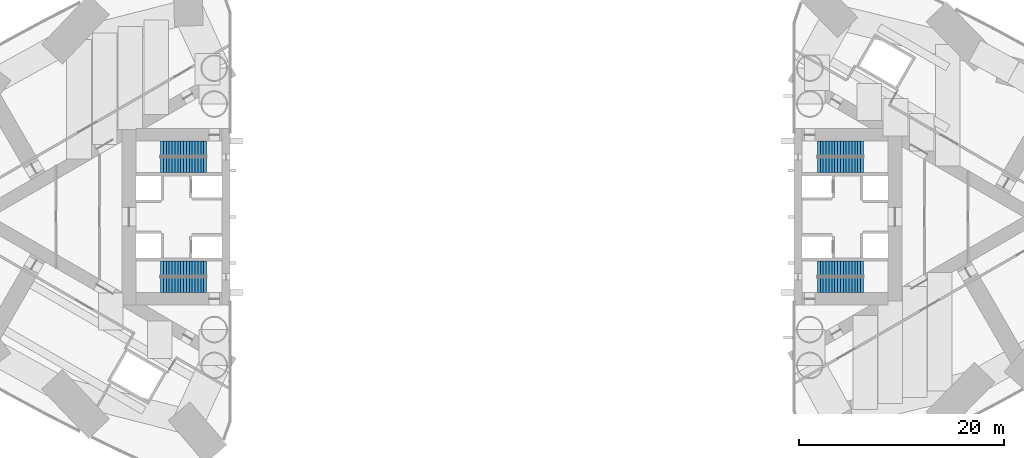
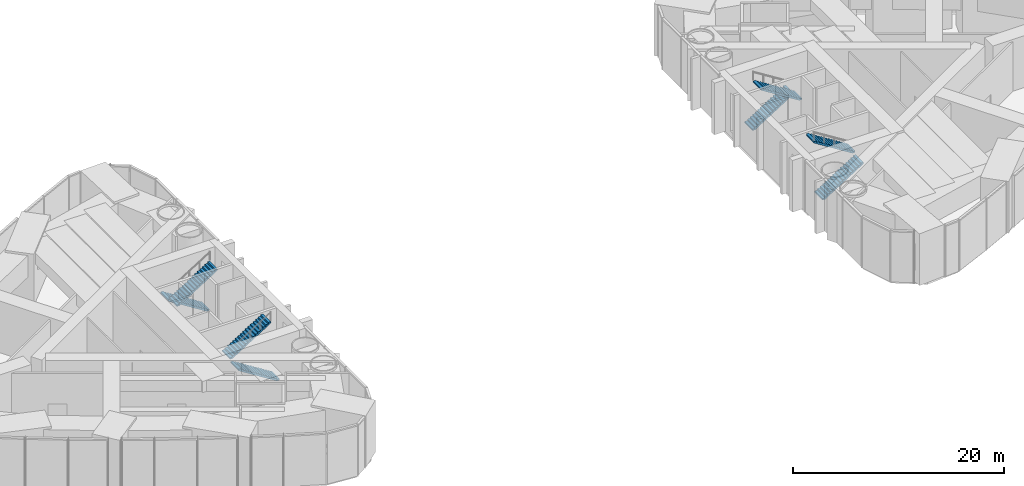
# One storey, part 15 of 16: 8 stair flights, 4 elements without a shape of their own.
"""IFC4 building model written with IfcOpenShell, lengths in metres."""

from ifc_helpers import new_model, si_unit, direction, frame, origin, place, context, subcontext, project, spatial, polyline, outline, extrude, material, type_object, element, aggregate, save


model = new_model("IFC4")

# Units and contexts
model_context = context("Model", 3, precision=1e-05, world=origin(), true_north=direction((0.0, 1.0)))
body_context = subcontext(model_context, "Body", "Model", "MODEL_VIEW")
ifc_project = project(units=[si_unit("LENGTHUNIT", "METRE"), si_unit("AREAUNIT", "SQUARE_METRE"), si_unit("VOLUMEUNIT", "CUBIC_METRE"), si_unit("PLANEANGLEUNIT", "RADIAN"), si_unit("MASSUNIT", "GRAM", prefix="KILO")], contexts=[model_context])

# Site, building, storey
site_placement = place(None, origin())
site = spatial("IfcSite", under=ifc_project, at=site_placement, CompositionType="ELEMENT")
building_placement = place(site_placement, origin())
building = spatial("IfcBuilding", under=site, at=building_placement, Name="Lancet Gate Hotel", CompositionType="ELEMENT")
storey_placement = place(building_placement, frame((0.0, 0.0, 146.699951171875)))
storey = spatial("IfcBuildingStorey", under=building, at=storey_placement, Name="L39", CompositionType="ELEMENT", Elevation=146.699951171875)

# Stair, stair flights
ifc_material_1 = material(Name="Exit stair 34 risers 1500")
stair_type = type_object("IfcStairType", Name="Exit stair 34 risers 1500", PredefinedType="HALF_TURN_STAIR", material=ifc_material_1)
stair_1_placement = place(storey_placement, origin())
stair_1 = element("IfcStair", 1, at=stair_1_placement, inside=storey, type_object=stair_type, Name="T1 stair 1 L39", PredefinedType="HALF_TURN_STAIR")
ifc_material_2 = material(Name="Stair flight 17 risers 176 rise 1500")
stair_flight_type = type_object("IfcStairFlightType", Name="Stair flight 17 risers 176 rise 1500", PredefinedType="STRAIGHT", material=ifc_material_2)
stair_flight_1_placement = place(storey_placement, frame((-29.800048828125, 6.64990234375, 0.0), z_axis=(0.0, 0.0, 1.0), x_axis=(-1.0, 0.0, 0.0)))
stair_flight_1 = element("IfcStairFlight", 2, at=stair_flight_1_placement, type_object=stair_flight_type, Name="ST1 flight 1", NumberOfRisers=17, NumberOfTreads=16, PredefinedType="STRAIGHT", RiserHeight=0.176470588, TreadLength=0.28, context=body_context, shape_type="SweptSolid", body=[
    extrude(outline(polyline([(0.0, 0.0), (0.0, 0.176513671875), (0.280029296875, 0.176513671875), (0.280029296875, 0.35302734375), (0.56005859375, 0.35302734375), (0.56005859375, 0.529296875), (0.840087890625, 0.529296875), (0.840087890625, 0.705810546875), (1.1201171875, 0.705810546875), (1.1201171875, 0.88232421875), (1.39990234375, 0.88232421875), (1.39990234375, 1.058837890625), (1.679931640625, 1.058837890625), (1.679931640625, 1.2353515625), (1.9599609375, 1.2353515625), (1.9599609375, 1.411865234375), (2.239990234375, 1.411865234375), (2.239990234375, 1.588134765625), (2.52001953125, 1.588134765625), (2.52001953125, 1.7646484375), (2.800048828125, 1.7646484375), (2.800048828125, 1.941162109375), (3.080078125, 1.941162109375), (3.080078125, 2.11767578125), (3.360107421875, 2.11767578125), (3.360107421875, 2.294189453125), (3.639892578125, 2.294189453125), (3.639892578125, 2.470703125), (3.919921875, 2.470703125), (3.919921875, 2.64697265625), (4.199951171875, 2.64697265625), (4.199951171875, 2.823486328125), (4.47998046875, 2.823486328125), (4.47998046875, 3.0), (4.47998046875, 2.646240234375), (0.28125, 0.0), (0.0, 0.0)])), frame((0.0, 0.75, 0.0), z_axis=(0.0, -1.0, 0.0), x_axis=(1.0, 0.0, 0.0)), (0.0, 0.0, 1.0), 1.5),
])
stair_flight_2_placement = place(storey_placement, frame((-34.280029296875, 5.050048828125, 3.0), z_axis=(0.0, 0.0, 1.0), x_axis=(1.0, 0.0, 0.0)))
stair_flight_2 = element("IfcStairFlight", 3, at=stair_flight_2_placement, type_object=stair_flight_type, Name="ST1 flight 2", NumberOfRisers=17, NumberOfTreads=16, PredefinedType="STRAIGHT", RiserHeight=0.176470588, TreadLength=0.28, context=body_context, shape_type="SweptSolid", body=[
    extrude(outline(polyline([(0.0, 0.0), (0.0, 0.176513671875), (0.280029296875, 0.176513671875), (0.280029296875, 0.35302734375), (0.56005859375, 0.35302734375), (0.56005859375, 0.529296875), (0.840087890625, 0.529296875), (0.840087890625, 0.705810546875), (1.1201171875, 0.705810546875), (1.1201171875, 0.88232421875), (1.39990234375, 0.88232421875), (1.39990234375, 1.058837890625), (1.679931640625, 1.058837890625), (1.679931640625, 1.2353515625), (1.9599609375, 1.2353515625), (1.9599609375, 1.411865234375), (2.239990234375, 1.411865234375), (2.239990234375, 1.588134765625), (2.52001953125, 1.588134765625), (2.52001953125, 1.7646484375), (2.800048828125, 1.7646484375), (2.800048828125, 1.941162109375), (3.080078125, 1.941162109375), (3.080078125, 2.11767578125), (3.360107421875, 2.11767578125), (3.360107421875, 2.294189453125), (3.639892578125, 2.294189453125), (3.639892578125, 2.470703125), (3.919921875, 2.470703125), (3.919921875, 2.64697265625), (4.199951171875, 2.64697265625), (4.199951171875, 2.823486328125), (4.47998046875, 2.823486328125), (4.47998046875, 3.0), (4.47998046875, 2.646240234375), (0.28125, 0.0), (0.0, 0.0)])), frame((0.0, 0.75, 0.0), z_axis=(0.0, -1.0, 0.0), x_axis=(1.0, 0.0, 0.0)), (0.0, 0.0, 1.0), 1.5),
])
aggregate(stair_1, [stair_flight_1, stair_flight_2])

stair_2_placement = place(storey_placement, origin())
stair_2 = element("IfcStair", 4, at=stair_2_placement, inside=storey, type_object=stair_type, Name="T1 stair 2 L39", PredefinedType="HALF_TURN_STAIR")
stair_flight_3_placement = place(storey_placement, frame((-29.800048828125, -6.64990234375, 0.0), z_axis=(0.0, 0.0, 1.0), x_axis=(-1.0, 0.0, 0.0)))
stair_flight_3 = element("IfcStairFlight", 5, at=stair_flight_3_placement, type_object=stair_flight_type, Name="ST2 flight 1", NumberOfRisers=17, NumberOfTreads=16, PredefinedType="STRAIGHT", RiserHeight=0.176470588, TreadLength=0.28, context=body_context, shape_type="SweptSolid", body=[
    extrude(outline(polyline([(0.0, 0.0), (0.0, 0.176513671875), (0.280029296875, 0.176513671875), (0.280029296875, 0.35302734375), (0.56005859375, 0.35302734375), (0.56005859375, 0.529296875), (0.840087890625, 0.529296875), (0.840087890625, 0.705810546875), (1.1201171875, 0.705810546875), (1.1201171875, 0.88232421875), (1.39990234375, 0.88232421875), (1.39990234375, 1.058837890625), (1.679931640625, 1.058837890625), (1.679931640625, 1.2353515625), (1.9599609375, 1.2353515625), (1.9599609375, 1.411865234375), (2.239990234375, 1.411865234375), (2.239990234375, 1.588134765625), (2.52001953125, 1.588134765625), (2.52001953125, 1.7646484375), (2.800048828125, 1.7646484375), (2.800048828125, 1.941162109375), (3.080078125, 1.941162109375), (3.080078125, 2.11767578125), (3.360107421875, 2.11767578125), (3.360107421875, 2.294189453125), (3.639892578125, 2.294189453125), (3.639892578125, 2.470703125), (3.919921875, 2.470703125), (3.919921875, 2.64697265625), (4.199951171875, 2.64697265625), (4.199951171875, 2.823486328125), (4.47998046875, 2.823486328125), (4.47998046875, 3.0), (4.47998046875, 2.646240234375), (0.28125, 0.0), (0.0, 0.0)])), frame((0.0, 0.75, 0.0), z_axis=(0.0, -1.0, 0.0), x_axis=(1.0, 0.0, 0.0)), (0.0, 0.0, 1.0), 1.5),
])
stair_flight_4_placement = place(storey_placement, frame((-34.280029296875, -5.050048828125, 3.0), z_axis=(0.0, 0.0, 1.0), x_axis=(1.0, 0.0, 0.0)))
stair_flight_4 = element("IfcStairFlight", 6, at=stair_flight_4_placement, type_object=stair_flight_type, Name="ST2 flight 2", NumberOfRisers=17, NumberOfTreads=16, PredefinedType="STRAIGHT", RiserHeight=0.176470588, TreadLength=0.28, context=body_context, shape_type="SweptSolid", body=[
    extrude(outline(polyline([(0.0, 0.0), (0.0, 0.176513671875), (0.280029296875, 0.176513671875), (0.280029296875, 0.35302734375), (0.56005859375, 0.35302734375), (0.56005859375, 0.529296875), (0.840087890625, 0.529296875), (0.840087890625, 0.705810546875), (1.1201171875, 0.705810546875), (1.1201171875, 0.88232421875), (1.39990234375, 0.88232421875), (1.39990234375, 1.058837890625), (1.679931640625, 1.058837890625), (1.679931640625, 1.2353515625), (1.9599609375, 1.2353515625), (1.9599609375, 1.411865234375), (2.239990234375, 1.411865234375), (2.239990234375, 1.588134765625), (2.52001953125, 1.588134765625), (2.52001953125, 1.7646484375), (2.800048828125, 1.7646484375), (2.800048828125, 1.941162109375), (3.080078125, 1.941162109375), (3.080078125, 2.11767578125), (3.360107421875, 2.11767578125), (3.360107421875, 2.294189453125), (3.639892578125, 2.294189453125), (3.639892578125, 2.470703125), (3.919921875, 2.470703125), (3.919921875, 2.64697265625), (4.199951171875, 2.64697265625), (4.199951171875, 2.823486328125), (4.47998046875, 2.823486328125), (4.47998046875, 3.0), (4.47998046875, 2.646240234375), (0.28125, 0.0), (0.0, 0.0)])), frame((0.0, 0.75, 0.0), z_axis=(0.0, -1.0, 0.0), x_axis=(1.0, 0.0, 0.0)), (0.0, 0.0, 1.0), 1.5),
])
aggregate(stair_2, [stair_flight_3, stair_flight_4])

stair_3_placement = place(storey_placement, origin())
stair_3 = element("IfcStair", 7, at=stair_3_placement, inside=storey, type_object=stair_type, Name="T2 stair 1 L39", PredefinedType="HALF_TURN_STAIR")
stair_flight_5_placement = place(storey_placement, frame((29.800048828125, -6.64990234375, 0.0), z_axis=(0.0, 0.0, 1.0), x_axis=(1.0, 0.0, 0.0)))
stair_flight_5 = element("IfcStairFlight", 8, at=stair_flight_5_placement, type_object=stair_flight_type, Name="ST3 flight 1", NumberOfRisers=17, NumberOfTreads=16, PredefinedType="STRAIGHT", RiserHeight=0.176470588, TreadLength=0.28, context=body_context, shape_type="SweptSolid", body=[
    extrude(outline(polyline([(0.0, 0.0), (0.0, 0.176513671875), (0.280029296875, 0.176513671875), (0.280029296875, 0.35302734375), (0.56005859375, 0.35302734375), (0.56005859375, 0.529296875), (0.840087890625, 0.529296875), (0.840087890625, 0.705810546875), (1.1201171875, 0.705810546875), (1.1201171875, 0.88232421875), (1.39990234375, 0.88232421875), (1.39990234375, 1.058837890625), (1.679931640625, 1.058837890625), (1.679931640625, 1.2353515625), (1.9599609375, 1.2353515625), (1.9599609375, 1.411865234375), (2.239990234375, 1.411865234375), (2.239990234375, 1.588134765625), (2.52001953125, 1.588134765625), (2.52001953125, 1.7646484375), (2.800048828125, 1.7646484375), (2.800048828125, 1.941162109375), (3.080078125, 1.941162109375), (3.080078125, 2.11767578125), (3.360107421875, 2.11767578125), (3.360107421875, 2.294189453125), (3.639892578125, 2.294189453125), (3.639892578125, 2.470703125), (3.919921875, 2.470703125), (3.919921875, 2.64697265625), (4.199951171875, 2.64697265625), (4.199951171875, 2.823486328125), (4.47998046875, 2.823486328125), (4.47998046875, 3.0), (4.47998046875, 2.646240234375), (0.28125, 0.0), (0.0, 0.0)])), frame((0.0, 0.75, 0.0), z_axis=(0.0, -1.0, 0.0), x_axis=(1.0, 0.0, 0.0)), (0.0, 0.0, 1.0), 1.5),
])
stair_flight_6_placement = place(storey_placement, frame((34.280029296875, -5.050048828125, 3.0), z_axis=(0.0, 0.0, 1.0), x_axis=(-1.0, 0.0, 0.0)))
stair_flight_6 = element("IfcStairFlight", 9, at=stair_flight_6_placement, type_object=stair_flight_type, Name="ST3 flight 2", NumberOfRisers=17, NumberOfTreads=16, PredefinedType="STRAIGHT", RiserHeight=0.176470588, TreadLength=0.28, context=body_context, shape_type="SweptSolid", body=[
    extrude(outline(polyline([(0.0, 0.0), (0.0, 0.176513671875), (0.280029296875, 0.176513671875), (0.280029296875, 0.35302734375), (0.56005859375, 0.35302734375), (0.56005859375, 0.529296875), (0.840087890625, 0.529296875), (0.840087890625, 0.705810546875), (1.1201171875, 0.705810546875), (1.1201171875, 0.88232421875), (1.39990234375, 0.88232421875), (1.39990234375, 1.058837890625), (1.679931640625, 1.058837890625), (1.679931640625, 1.2353515625), (1.9599609375, 1.2353515625), (1.9599609375, 1.411865234375), (2.239990234375, 1.411865234375), (2.239990234375, 1.588134765625), (2.52001953125, 1.588134765625), (2.52001953125, 1.7646484375), (2.800048828125, 1.7646484375), (2.800048828125, 1.941162109375), (3.080078125, 1.941162109375), (3.080078125, 2.11767578125), (3.360107421875, 2.11767578125), (3.360107421875, 2.294189453125), (3.639892578125, 2.294189453125), (3.639892578125, 2.470703125), (3.919921875, 2.470703125), (3.919921875, 2.64697265625), (4.199951171875, 2.64697265625), (4.199951171875, 2.823486328125), (4.47998046875, 2.823486328125), (4.47998046875, 3.0), (4.47998046875, 2.646240234375), (0.28125, 0.0), (0.0, 0.0)])), frame((0.0, 0.75, 0.0), z_axis=(0.0, -1.0, 0.0), x_axis=(1.0, 0.0, 0.0)), (0.0, 0.0, 1.0), 1.5),
])
aggregate(stair_3, [stair_flight_5, stair_flight_6])

stair_4_placement = place(storey_placement, origin())
stair_4 = element("IfcStair", 10, at=stair_4_placement, inside=storey, type_object=stair_type, Name="T2 stair 2 L39", PredefinedType="HALF_TURN_STAIR")
stair_flight_7_placement = place(storey_placement, frame((29.800048828125, 6.64990234375, 0.0), z_axis=(0.0, 0.0, 1.0), x_axis=(1.0, 0.0, 0.0)))
stair_flight_7 = element("IfcStairFlight", 11, at=stair_flight_7_placement, type_object=stair_flight_type, Name="ST4 flight 1", NumberOfRisers=17, NumberOfTreads=16, PredefinedType="STRAIGHT", RiserHeight=0.176470588, TreadLength=0.28, context=body_context, shape_type="SweptSolid", body=[
    extrude(outline(polyline([(0.0, 0.0), (0.0, 0.176513671875), (0.280029296875, 0.176513671875), (0.280029296875, 0.35302734375), (0.56005859375, 0.35302734375), (0.56005859375, 0.529296875), (0.840087890625, 0.529296875), (0.840087890625, 0.705810546875), (1.1201171875, 0.705810546875), (1.1201171875, 0.88232421875), (1.39990234375, 0.88232421875), (1.39990234375, 1.058837890625), (1.679931640625, 1.058837890625), (1.679931640625, 1.2353515625), (1.9599609375, 1.2353515625), (1.9599609375, 1.411865234375), (2.239990234375, 1.411865234375), (2.239990234375, 1.588134765625), (2.52001953125, 1.588134765625), (2.52001953125, 1.7646484375), (2.800048828125, 1.7646484375), (2.800048828125, 1.941162109375), (3.080078125, 1.941162109375), (3.080078125, 2.11767578125), (3.360107421875, 2.11767578125), (3.360107421875, 2.294189453125), (3.639892578125, 2.294189453125), (3.639892578125, 2.470703125), (3.919921875, 2.470703125), (3.919921875, 2.64697265625), (4.199951171875, 2.64697265625), (4.199951171875, 2.823486328125), (4.47998046875, 2.823486328125), (4.47998046875, 3.0), (4.47998046875, 2.646240234375), (0.28125, 0.0), (0.0, 0.0)])), frame((0.0, 0.75, 0.0), z_axis=(0.0, -1.0, 0.0), x_axis=(1.0, 0.0, 0.0)), (0.0, 0.0, 1.0), 1.5),
])
stair_flight_8_placement = place(storey_placement, frame((34.280029296875, 5.050048828125, 3.0), z_axis=(0.0, 0.0, 1.0), x_axis=(-1.0, 0.0, 0.0)))
stair_flight_8 = element("IfcStairFlight", 12, at=stair_flight_8_placement, type_object=stair_flight_type, Name="ST4 flight 2", NumberOfRisers=17, NumberOfTreads=16, PredefinedType="STRAIGHT", RiserHeight=0.176470588, TreadLength=0.28, context=body_context, shape_type="SweptSolid", body=[
    extrude(outline(polyline([(0.0, 0.0), (0.0, 0.176513671875), (0.280029296875, 0.176513671875), (0.280029296875, 0.35302734375), (0.56005859375, 0.35302734375), (0.56005859375, 0.529296875), (0.840087890625, 0.529296875), (0.840087890625, 0.705810546875), (1.1201171875, 0.705810546875), (1.1201171875, 0.88232421875), (1.39990234375, 0.88232421875), (1.39990234375, 1.058837890625), (1.679931640625, 1.058837890625), (1.679931640625, 1.2353515625), (1.9599609375, 1.2353515625), (1.9599609375, 1.411865234375), (2.239990234375, 1.411865234375), (2.239990234375, 1.588134765625), (2.52001953125, 1.588134765625), (2.52001953125, 1.7646484375), (2.800048828125, 1.7646484375), (2.800048828125, 1.941162109375), (3.080078125, 1.941162109375), (3.080078125, 2.11767578125), (3.360107421875, 2.11767578125), (3.360107421875, 2.294189453125), (3.639892578125, 2.294189453125), (3.639892578125, 2.470703125), (3.919921875, 2.470703125), (3.919921875, 2.64697265625), (4.199951171875, 2.64697265625), (4.199951171875, 2.823486328125), (4.47998046875, 2.823486328125), (4.47998046875, 3.0), (4.47998046875, 2.646240234375), (0.28125, 0.0), (0.0, 0.0)])), frame((0.0, 0.75, 0.0), z_axis=(0.0, -1.0, 0.0), x_axis=(1.0, 0.0, 0.0)), (0.0, 0.0, 1.0), 1.5),
])
aggregate(stair_4, [stair_flight_7, stair_flight_8])

save(model, "model.ifc")
